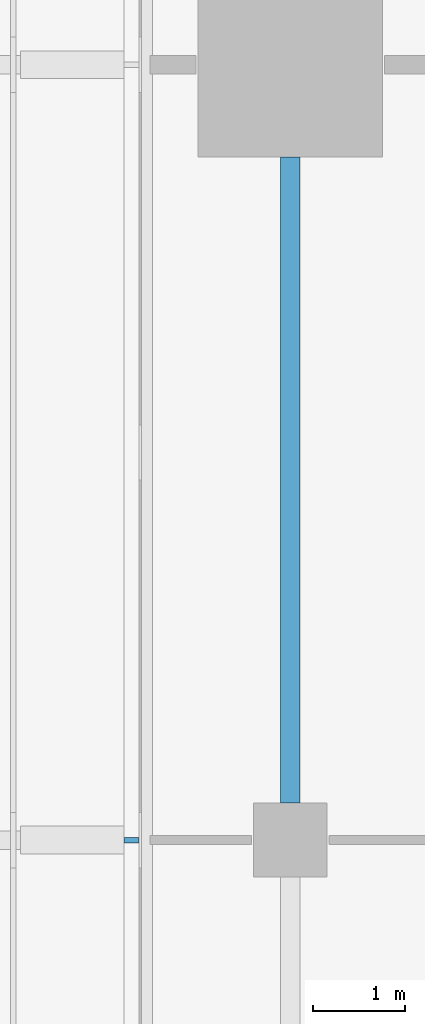
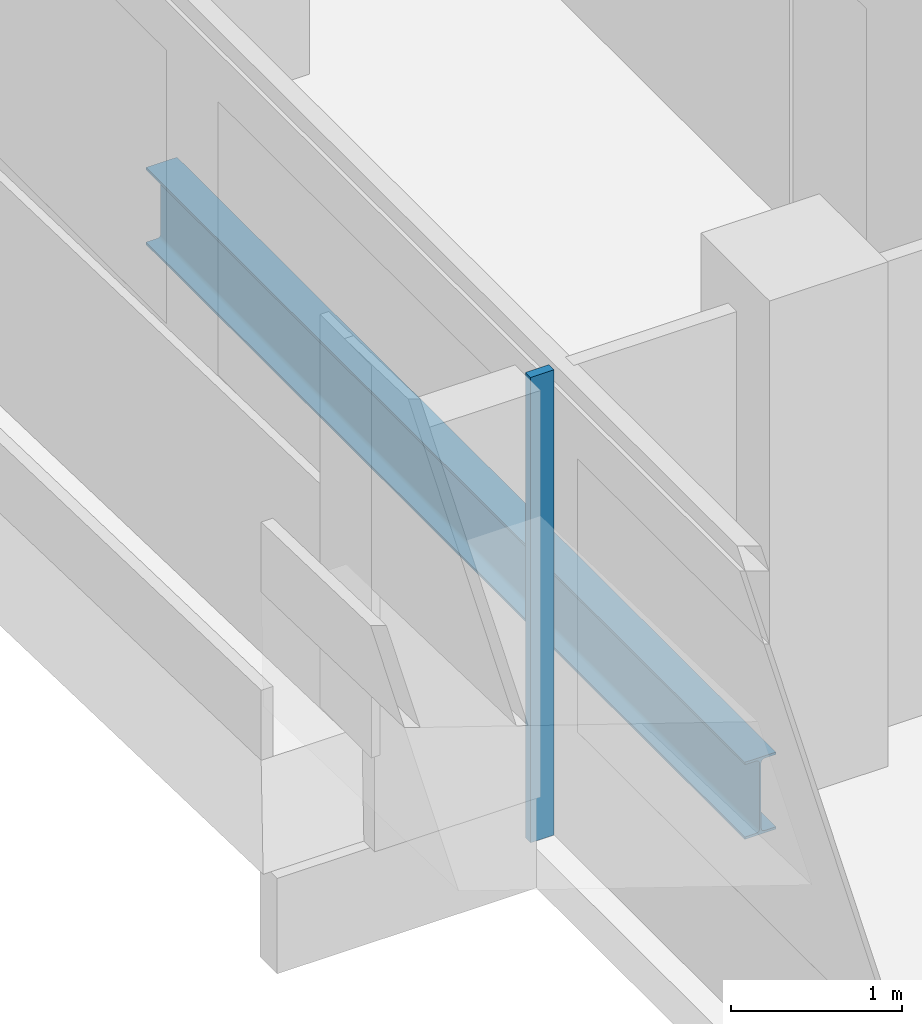
# One storey, part 4 of 25: 1 beam, 1 member, 1 element without a shape of its own.
"""IFC4 building model written with IfcOpenShell, lengths in metres."""

from ifc_helpers import new_model, si_unit, direction, frame, origin, origin_2d, place, context, subcontext, project, spatial, rectangle, i_section, extrude, material, material_profile, profile_set, type_object, element, aggregate, save


model = new_model("IFC4")

# Units and contexts
model_context = context("Model", 3, precision=1e-05, world=origin(), true_north=direction((0.0, 1.0)))
body_context = subcontext(model_context, "Body", "Model", "MODEL_VIEW")
ifc_project = project(units=[si_unit("LENGTHUNIT", "METRE"), si_unit("AREAUNIT", "SQUARE_METRE"), si_unit("VOLUMEUNIT", "CUBIC_METRE"), si_unit("PLANEANGLEUNIT", "RADIAN"), si_unit("MASSUNIT", "GRAM", prefix="KILO")], contexts=[model_context])

# Site, building, storey
site_placement = place(None, origin())
site = spatial("IfcSite", under=ifc_project, at=site_placement, CompositionType="ELEMENT")
building_placement = place(site_placement, origin())
building = spatial("IfcBuilding", under=site, at=building_placement, Name="Saffron Gate Tower", CompositionType="ELEMENT")
storey_placement = place(building_placement, frame((0.0, 0.0, 131.25)))
storey = spatial("IfcBuildingStorey", under=building, at=storey_placement, Name="L31", CompositionType="ELEMENT", Elevation=131.25)

# Beam
ifc_material_1 = material(Name="Structural steel S355", Category="steel")
ifc_material_profile_1 = material_profile(ifc_material_1, i_section(OverallWidth=0.2099609375, OverallDepth=0.550048828125, WebThickness=0.010986328125, FlangeThickness=0.01708984375, FilletRadius=0.02392578125, at=origin_2d()))
ifc_profile_set_1 = profile_set([ifc_material_profile_1], Name="Structural steel S355")
beam_type = type_object("IfcBeamType", Name="B13 IPE 550", PredefinedType="SPANDREL", material=ifc_profile_set_1)
beam_placement = place(storey_placement, frame((49.800048828125, 57.39990234375, -0.554931640625), z_axis=(0.0, 1.0, 0.0), x_axis=(-1.0, 0.0, 0.0)))
element("IfcBeam", 1, at=beam_placement, inside=storey, type_object=beam_type, Name="B13 SPANDREL BEAM", PredefinedType="SPANDREL", context=body_context, shape_type="SweptSolid", body=[
    extrude(i_section(OverallWidth=0.2099609375, OverallDepth=0.550048828125, WebThickness=0.010986328125, FlangeThickness=0.01708984375, FilletRadius=0.02392578125, at=origin_2d()), origin(), (0.0, 0.0, 1.0), 7.0),
])

# Curtain wall, member
ifc_material_2 = material(Name="Aluminium, bronze anodised", Category="aluminium")
curtain_wall_type = type_object("IfcCurtainWallType", Name="CWS2 curtain wall side facades", PredefinedType="NOTDEFINED", material=ifc_material_2)
curtain_wall_placement = place(storey_placement, origin())
curtain_wall = element("IfcCurtainWall", 2, at=curtain_wall_placement, inside=storey, type_object=curtain_wall_type, Name="CWS2 run 10", PredefinedType="NOTDEFINED")
ifc_material_profile_2 = material_profile(ifc_material_2, rectangle(XDim=0.159912109375, YDim=0.06005859375, at=origin_2d()))
ifc_profile_set_2 = profile_set([ifc_material_profile_2], Name="Aluminium, bronze anodised")
member_type = type_object("IfcMemberType", Name="CWS2 mullion 60x160", PredefinedType="MULLION", material=ifc_profile_set_2)
member_placement = place(storey_placement, frame((48.080078125, 57.0, 0.0), z_axis=(0.0, 0.0, 1.0), x_axis=(1.0, 0.0, 0.0)))
member = element("IfcMember", 3, at=member_placement, type_object=member_type, Name="CWS2 mullion 3", PredefinedType="MULLION", context=body_context, shape_type="SweptSolid", body=[
    extrude(rectangle(XDim=0.159912109375, YDim=0.06005859375, at=origin_2d()), origin(), (0.0, 0.0, 1.0), 3.320068359375),
])
aggregate(curtain_wall, [member])

save(model, "model.ifc")
